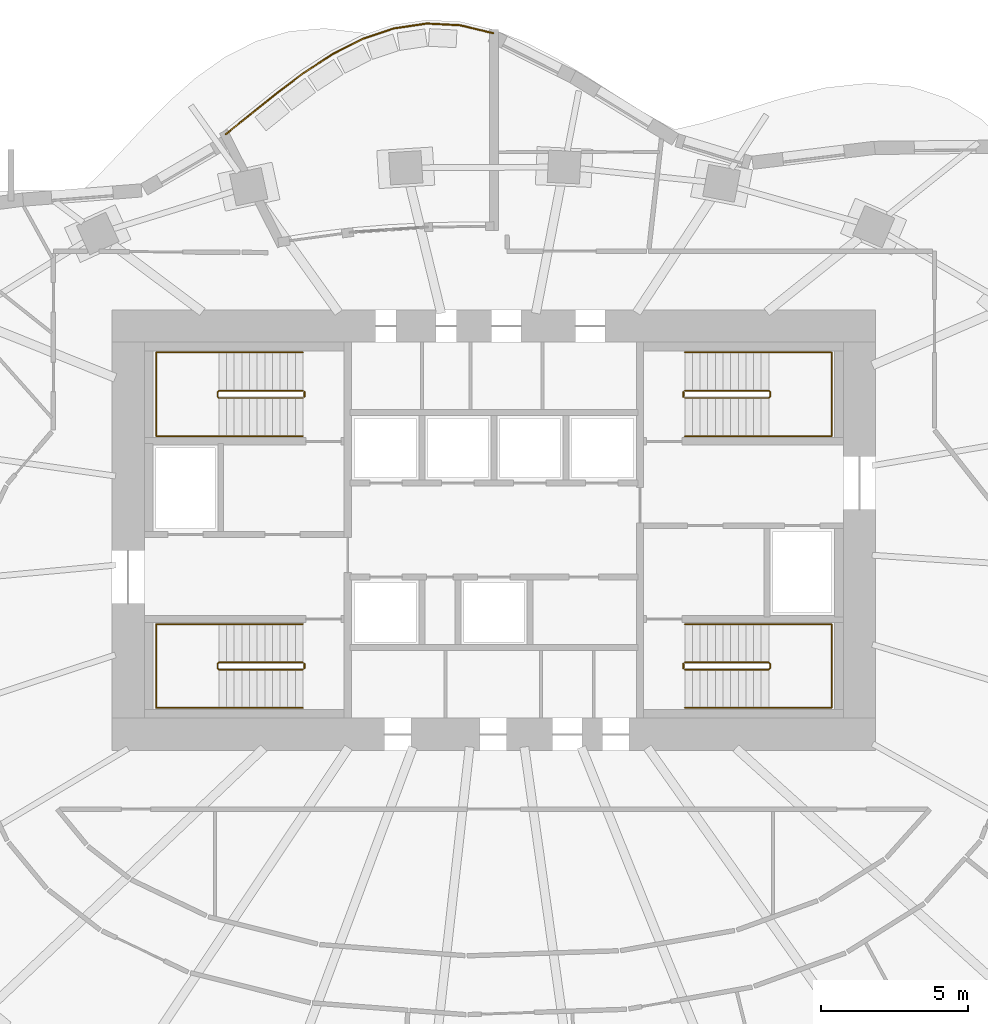
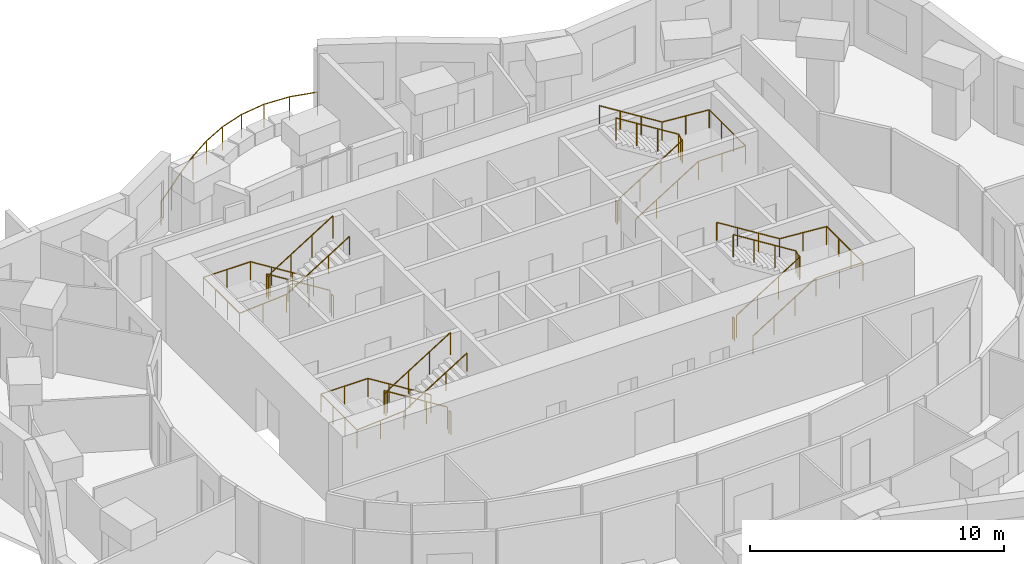
# One storey, part 11 of 11: 13 railings.
"""IFC4 building model written with IfcOpenShell, lengths in metres."""

from ifc_helpers import new_model, si_unit, direction, frame, origin, origin_2d, place, context, subcontext, project, spatial, circle, extrude, material, type_object, element, save


model = new_model("IFC4")

# Units and contexts
model_context = context("Model", 3, precision=1e-05, world=origin(), true_north=direction((0.0, 1.0)))
body_context = subcontext(model_context, "Body", "Model", "MODEL_VIEW")
ifc_project = project(units=[si_unit("LENGTHUNIT", "METRE"), si_unit("AREAUNIT", "SQUARE_METRE"), si_unit("VOLUMEUNIT", "CUBIC_METRE"), si_unit("PLANEANGLEUNIT", "RADIAN"), si_unit("MASSUNIT", "GRAM", prefix="KILO")], contexts=[model_context])

# Site, building, storey
site_placement = place(None, origin())
site = spatial("IfcSite", under=ifc_project, at=site_placement, CompositionType="ELEMENT")
building_placement = place(site_placement, origin())
building = spatial("IfcBuilding", under=site, at=building_placement, Name="Rubra Terraces Tower", CompositionType="ELEMENT")
storey_placement = place(building_placement, frame((0.0, 0.0, 165.60009765625)))
storey = spatial("IfcBuildingStorey", under=building, at=storey_placement, Name="L40", CompositionType="ELEMENT", Elevation=165.60009765625)

# Railings
ifc_material_1 = material(Name="Stainless steel", Category="steel")
railing_type_1 = type_object("IfcRailingType", Name="Core stair guard 1100", PredefinedType="GUARDRAIL", material=ifc_material_1)
railing_1_placement = place(storey_placement, frame((-6.5, 0.0, 0.162353515625)))
element("IfcRailing", 1, at=railing_1_placement, inside=storey, type_object=railing_type_1, Name="L40 stair S1 guard 1", PredefinedType="GUARDRAIL", context=body_context, shape_type="SweptSolid", body=[
    extrude(circle(Radius=0.02392578125, at=origin_2d()), frame((0.0, 0.0, 1.076171875), z_axis=(-0.847994237388, 0.0, 0.530005446535), x_axis=(0.0, -1.0, 0.0)), (0.0, 0.0, 1.0), 3.372802734375),
    extrude(circle(Radius=0.02392578125, at=origin_2d()), frame((-2.860107421875, 0.0, 2.86376953125), z_axis=(-0.705375805398, -0.708833529934, 0.0), x_axis=(0.708833529934, -0.705375805398, 0.0)), (0.0, 0.0, 1.0), 0.070556640625),
    extrude(circle(Radius=0.02392578125, at=origin_2d()), frame((-2.909912109375, -0.050048828125, 2.86376953125), z_axis=(0.0, -1.0, 0.0), x_axis=(1.0, 0.0, 0.0)), (0.0, 0.0, 1.0), 0.14990234375),
    extrude(circle(Radius=0.02392578125, at=origin_2d()), frame((-2.909912109375, -0.199951171875, 2.86376953125), z_axis=(0.281314826061, -0.282693820306, 0.917031173188), x_axis=(0.708833529934, 0.705375805398, 0.0)), (0.0, 0.0, 1.0), 0.177001953125),
    extrude(circle(Radius=0.02392578125, at=origin_2d()), frame((-2.860107421875, -0.25, 3.02587890625), z_axis=(0.847994237388, 0.0, 0.530005446535), x_axis=(0.0, 1.0, 0.0)), (0.0, 0.0, 1.0), 3.372802734375),
    extrude(circle(Radius=0.02099609375, at=origin_2d()), origin(), (0.0, 0.0, 1.0), 1.052001953125),
    extrude(circle(Radius=0.02099609375, at=origin_2d()), frame((-0.953369140625, 0.0, 0.595947265625)), (0.0, 0.0, 1.0), 1.052001953125),
    extrude(circle(Radius=0.02099609375, at=origin_2d()), frame((-1.90673828125, 0.0, 1.191650390625)), (0.0, 0.0, 1.0), 1.052001953125),
    extrude(circle(Radius=0.02099609375, at=origin_2d()), frame((-2.860107421875, 0.0, 1.78759765625)), (0.0, 0.0, 1.0), 1.052001953125),
    extrude(circle(Radius=0.02099609375, at=origin_2d()), frame((-2.909912109375, -0.050048828125, 1.78759765625)), (0.0, 0.0, 1.0), 1.052001953125),
    extrude(circle(Radius=0.02099609375, at=origin_2d()), frame((-2.909912109375, -0.199951171875, 1.78759765625)), (0.0, 0.0, 1.0), 1.052001953125),
    extrude(circle(Radius=0.02099609375, at=origin_2d()), frame((-2.860107421875, -0.25, 1.949951171875)), (0.0, 0.0, 1.0), 1.052001953125),
    extrude(circle(Radius=0.02099609375, at=origin_2d()), frame((-1.90673828125, -0.25, 2.5458984375)), (0.0, 0.0, 1.0), 1.052001953125),
    extrude(circle(Radius=0.02099609375, at=origin_2d()), frame((-0.953369140625, -0.25, 3.1416015625)), (0.0, 0.0, 1.0), 1.052001953125),
    extrude(circle(Radius=0.02099609375, at=origin_2d()), frame((0.0, -0.25, 3.737548828125)), (0.0, 0.0, 1.0), 1.052001953125),
])
railing_2_placement = place(storey_placement, frame((-6.449951171875, -0.050048828125, 0.0)))
element("IfcRailing", 2, at=railing_2_placement, inside=storey, type_object=railing_type_1, Name="L40 stair S1 guard 2", PredefinedType="GUARDRAIL", context=body_context, shape_type="SweptSolid", body=[
    extrude(circle(Radius=0.02392578125, at=origin_2d()), frame((0.0, 0.0, 1.076171875), z_axis=(0.0, -1.0, 0.0), x_axis=(1.0, 0.0, 0.0)), (0.0, 0.0, 1.0), 0.14990234375),
    extrude(circle(Radius=0.02099609375, at=origin_2d()), origin(), (0.0, 0.0, 1.0), 1.052001953125),
    extrude(circle(Radius=0.02099609375, at=origin_2d()), frame((0.0, -0.14990234375, 0.0)), (0.0, 0.0, 1.0), 1.052001953125),
])
railing_3_placement = place(storey_placement, frame((-6.5, 9.25, 0.162353515625)))
element("IfcRailing", 3, at=railing_3_placement, inside=storey, type_object=railing_type_1, Name="L40 stair S2 guard 1", PredefinedType="GUARDRAIL", context=body_context, shape_type="SweptSolid", body=[
    extrude(circle(Radius=0.02392578125, at=origin_2d()), frame((0.0, 0.0, 1.076171875), z_axis=(-0.847994237388, 0.0, 0.530005446535), x_axis=(0.0, -1.0, 0.0)), (0.0, 0.0, 1.0), 3.372802734375),
    extrude(circle(Radius=0.02392578125, at=origin_2d()), frame((-2.860107421875, 0.0, 2.86376953125), z_axis=(-0.705375805398, -0.708833529934, 0.0), x_axis=(0.708833529934, -0.705375805398, 0.0)), (0.0, 0.0, 1.0), 0.070556640625),
    extrude(circle(Radius=0.02392578125, at=origin_2d()), frame((-2.909912109375, -0.050048828125, 2.86376953125), z_axis=(0.0, -1.0, 0.0), x_axis=(1.0, 0.0, 0.0)), (0.0, 0.0, 1.0), 0.14990234375),
    extrude(circle(Radius=0.02392578125, at=origin_2d()), frame((-2.909912109375, -0.199951171875, 2.86376953125), z_axis=(0.281314826061, -0.282693820306, 0.917031173188), x_axis=(0.708833529934, 0.705375805398, 0.0)), (0.0, 0.0, 1.0), 0.177001953125),
    extrude(circle(Radius=0.02392578125, at=origin_2d()), frame((-2.860107421875, -0.25, 3.02587890625), z_axis=(0.847994237388, 0.0, 0.530005446535), x_axis=(0.0, 1.0, 0.0)), (0.0, 0.0, 1.0), 3.372802734375),
    extrude(circle(Radius=0.02099609375, at=origin_2d()), origin(), (0.0, 0.0, 1.0), 1.052001953125),
    extrude(circle(Radius=0.02099609375, at=origin_2d()), frame((-0.953369140625, 0.0, 0.595947265625)), (0.0, 0.0, 1.0), 1.052001953125),
    extrude(circle(Radius=0.02099609375, at=origin_2d()), frame((-1.90673828125, 0.0, 1.191650390625)), (0.0, 0.0, 1.0), 1.052001953125),
    extrude(circle(Radius=0.02099609375, at=origin_2d()), frame((-2.860107421875, 0.0, 1.78759765625)), (0.0, 0.0, 1.0), 1.052001953125),
    extrude(circle(Radius=0.02099609375, at=origin_2d()), frame((-2.909912109375, -0.050048828125, 1.78759765625)), (0.0, 0.0, 1.0), 1.052001953125),
    extrude(circle(Radius=0.02099609375, at=origin_2d()), frame((-2.909912109375, -0.199951171875, 1.78759765625)), (0.0, 0.0, 1.0), 1.052001953125),
    extrude(circle(Radius=0.02099609375, at=origin_2d()), frame((-2.860107421875, -0.25, 1.949951171875)), (0.0, 0.0, 1.0), 1.052001953125),
    extrude(circle(Radius=0.02099609375, at=origin_2d()), frame((-1.90673828125, -0.25, 2.5458984375)), (0.0, 0.0, 1.0), 1.052001953125),
    extrude(circle(Radius=0.02099609375, at=origin_2d()), frame((-0.953369140625, -0.25, 3.1416015625)), (0.0, 0.0, 1.0), 1.052001953125),
    extrude(circle(Radius=0.02099609375, at=origin_2d()), frame((0.0, -0.25, 3.737548828125)), (0.0, 0.0, 1.0), 1.052001953125),
])
railing_4_placement = place(storey_placement, frame((-6.449951171875, 9.199951171875, 0.0)))
element("IfcRailing", 4, at=railing_4_placement, inside=storey, type_object=railing_type_1, Name="L40 stair S2 guard 2", PredefinedType="GUARDRAIL", context=body_context, shape_type="SweptSolid", body=[
    extrude(circle(Radius=0.02392578125, at=origin_2d()), frame((0.0, 0.0, 1.076171875), z_axis=(0.0, -1.0, 0.0), x_axis=(1.0, 0.0, 0.0)), (0.0, 0.0, 1.0), 0.14990234375),
    extrude(circle(Radius=0.02099609375, at=origin_2d()), origin(), (0.0, 0.0, 1.0), 1.052001953125),
    extrude(circle(Radius=0.02099609375, at=origin_2d()), frame((0.0, -0.14990234375, 0.0)), (0.0, 0.0, 1.0), 1.052001953125),
])
railing_5_placement = place(storey_placement, frame((6.5, 9.0, 0.162353515625)))
element("IfcRailing", 5, at=railing_5_placement, inside=storey, type_object=railing_type_1, Name="L40 stair S3 guard 1", PredefinedType="GUARDRAIL", context=body_context, shape_type="SweptSolid", body=[
    extrude(circle(Radius=0.02392578125, at=origin_2d()), frame((0.0, 0.0, 1.076171875), z_axis=(0.847994237388, 0.0, 0.530005446535), x_axis=(0.0, 1.0, 0.0)), (0.0, 0.0, 1.0), 3.372802734375),
    extrude(circle(Radius=0.02392578125, at=origin_2d()), frame((2.860107421875, 0.0, 2.86376953125), z_axis=(0.705375805398, 0.708833529934, 0.0), x_axis=(-0.708833529934, 0.705375805398, 0.0)), (0.0, 0.0, 1.0), 0.070556640625),
    extrude(circle(Radius=0.02392578125, at=origin_2d()), frame((2.909912109375, 0.050048828125, 2.86376953125), z_axis=(0.0, 1.0, 0.0), x_axis=(-1.0, 0.0, 0.0)), (0.0, 0.0, 1.0), 0.14990234375),
    extrude(circle(Radius=0.02392578125, at=origin_2d()), frame((2.909912109375, 0.199951171875, 2.86376953125), z_axis=(-0.281314826061, 0.282693820306, 0.917031173188), x_axis=(-0.708833529934, -0.705375805398, 0.0)), (0.0, 0.0, 1.0), 0.177001953125),
    extrude(circle(Radius=0.02392578125, at=origin_2d()), frame((2.860107421875, 0.25, 3.02587890625), z_axis=(-0.847994237388, 0.0, 0.530005446535), x_axis=(0.0, -1.0, 0.0)), (0.0, 0.0, 1.0), 3.372802734375),
    extrude(circle(Radius=0.02099609375, at=origin_2d()), origin(), (0.0, 0.0, 1.0), 1.052001953125),
    extrude(circle(Radius=0.02099609375, at=origin_2d()), frame((0.953369140625, 0.0, 0.595947265625)), (0.0, 0.0, 1.0), 1.052001953125),
    extrude(circle(Radius=0.02099609375, at=origin_2d()), frame((1.90673828125, 0.0, 1.191650390625)), (0.0, 0.0, 1.0), 1.052001953125),
    extrude(circle(Radius=0.02099609375, at=origin_2d()), frame((2.860107421875, 0.0, 1.78759765625)), (0.0, 0.0, 1.0), 1.052001953125),
    extrude(circle(Radius=0.02099609375, at=origin_2d()), frame((2.909912109375, 0.050048828125, 1.78759765625)), (0.0, 0.0, 1.0), 1.052001953125),
    extrude(circle(Radius=0.02099609375, at=origin_2d()), frame((2.909912109375, 0.199951171875, 1.78759765625)), (0.0, 0.0, 1.0), 1.052001953125),
    extrude(circle(Radius=0.02099609375, at=origin_2d()), frame((2.860107421875, 0.25, 1.949951171875)), (0.0, 0.0, 1.0), 1.052001953125),
    extrude(circle(Radius=0.02099609375, at=origin_2d()), frame((1.90673828125, 0.25, 2.5458984375)), (0.0, 0.0, 1.0), 1.052001953125),
    extrude(circle(Radius=0.02099609375, at=origin_2d()), frame((0.953369140625, 0.25, 3.1416015625)), (0.0, 0.0, 1.0), 1.052001953125),
    extrude(circle(Radius=0.02099609375, at=origin_2d()), frame((0.0, 0.25, 3.737548828125)), (0.0, 0.0, 1.0), 1.052001953125),
])
railing_6_placement = place(storey_placement, frame((6.449951171875, 9.050048828125, 0.0)))
element("IfcRailing", 6, at=railing_6_placement, inside=storey, type_object=railing_type_1, Name="L40 stair S3 guard 2", PredefinedType="GUARDRAIL", context=body_context, shape_type="SweptSolid", body=[
    extrude(circle(Radius=0.02392578125, at=origin_2d()), frame((0.0, 0.0, 1.076171875), z_axis=(0.0, 1.0, 0.0), x_axis=(-1.0, 0.0, 0.0)), (0.0, 0.0, 1.0), 0.14990234375),
    extrude(circle(Radius=0.02099609375, at=origin_2d()), origin(), (0.0, 0.0, 1.0), 1.052001953125),
    extrude(circle(Radius=0.02099609375, at=origin_2d()), frame((0.0, 0.14990234375, 0.0)), (0.0, 0.0, 1.0), 1.052001953125),
])
railing_7_placement = place(storey_placement, frame((6.5, -0.25, 0.162353515625)))
element("IfcRailing", 7, at=railing_7_placement, inside=storey, type_object=railing_type_1, Name="L40 stair S4 guard 1", PredefinedType="GUARDRAIL", context=body_context, shape_type="SweptSolid", body=[
    extrude(circle(Radius=0.02392578125, at=origin_2d()), frame((0.0, 0.0, 1.076171875), z_axis=(0.847994237388, 0.0, 0.530005446535), x_axis=(0.0, 1.0, 0.0)), (0.0, 0.0, 1.0), 3.372802734375),
    extrude(circle(Radius=0.02392578125, at=origin_2d()), frame((2.860107421875, 0.0, 2.86376953125), z_axis=(0.705375805398, 0.708833529934, 0.0), x_axis=(-0.708833529934, 0.705375805398, 0.0)), (0.0, 0.0, 1.0), 0.070556640625),
    extrude(circle(Radius=0.02392578125, at=origin_2d()), frame((2.909912109375, 0.050048828125, 2.86376953125), z_axis=(0.0, 1.0, 0.0), x_axis=(-1.0, 0.0, 0.0)), (0.0, 0.0, 1.0), 0.14990234375),
    extrude(circle(Radius=0.02392578125, at=origin_2d()), frame((2.909912109375, 0.199951171875, 2.86376953125), z_axis=(-0.281314826061, 0.282693820306, 0.917031173188), x_axis=(-0.708833529934, -0.705375805398, 0.0)), (0.0, 0.0, 1.0), 0.177001953125),
    extrude(circle(Radius=0.02392578125, at=origin_2d()), frame((2.860107421875, 0.25, 3.02587890625), z_axis=(-0.847994237388, 0.0, 0.530005446535), x_axis=(0.0, -1.0, 0.0)), (0.0, 0.0, 1.0), 3.372802734375),
    extrude(circle(Radius=0.02099609375, at=origin_2d()), origin(), (0.0, 0.0, 1.0), 1.052001953125),
    extrude(circle(Radius=0.02099609375, at=origin_2d()), frame((0.953369140625, 0.0, 0.595947265625)), (0.0, 0.0, 1.0), 1.052001953125),
    extrude(circle(Radius=0.02099609375, at=origin_2d()), frame((1.90673828125, 0.0, 1.191650390625)), (0.0, 0.0, 1.0), 1.052001953125),
    extrude(circle(Radius=0.02099609375, at=origin_2d()), frame((2.860107421875, 0.0, 1.78759765625)), (0.0, 0.0, 1.0), 1.052001953125),
    extrude(circle(Radius=0.02099609375, at=origin_2d()), frame((2.909912109375, 0.050048828125, 1.78759765625)), (0.0, 0.0, 1.0), 1.052001953125),
    extrude(circle(Radius=0.02099609375, at=origin_2d()), frame((2.909912109375, 0.199951171875, 1.78759765625)), (0.0, 0.0, 1.0), 1.052001953125),
    extrude(circle(Radius=0.02099609375, at=origin_2d()), frame((2.860107421875, 0.25, 1.949951171875)), (0.0, 0.0, 1.0), 1.052001953125),
    extrude(circle(Radius=0.02099609375, at=origin_2d()), frame((1.90673828125, 0.25, 2.5458984375)), (0.0, 0.0, 1.0), 1.052001953125),
    extrude(circle(Radius=0.02099609375, at=origin_2d()), frame((0.953369140625, 0.25, 3.1416015625)), (0.0, 0.0, 1.0), 1.052001953125),
    extrude(circle(Radius=0.02099609375, at=origin_2d()), frame((0.0, 0.25, 3.737548828125)), (0.0, 0.0, 1.0), 1.052001953125),
])
railing_8_placement = place(storey_placement, frame((6.449951171875, -0.199951171875, 0.0)))
element("IfcRailing", 8, at=railing_8_placement, inside=storey, type_object=railing_type_1, Name="L40 stair S4 guard 2", PredefinedType="GUARDRAIL", context=body_context, shape_type="SweptSolid", body=[
    extrude(circle(Radius=0.02392578125, at=origin_2d()), frame((0.0, 0.0, 1.076171875), z_axis=(0.0, 1.0, 0.0), x_axis=(-1.0, 0.0, 0.0)), (0.0, 0.0, 1.0), 0.14990234375),
    extrude(circle(Radius=0.02099609375, at=origin_2d()), origin(), (0.0, 0.0, 1.0), 1.052001953125),
    extrude(circle(Radius=0.02099609375, at=origin_2d()), frame((0.0, 0.14990234375, 0.0)), (0.0, 0.0, 1.0), 1.052001953125),
])
railing_type_2 = type_object("IfcRailingType", Name="Core stair handrail 900", PredefinedType="HANDRAIL", material=ifc_material_1)
railing_9_placement = place(storey_placement, frame((-6.5, 1.300048828125, 0.162353515625)))
element("IfcRailing", 9, at=railing_9_placement, inside=storey, type_object=railing_type_2, Name="L40 stair S1 handrail 1", PredefinedType="HANDRAIL", context=body_context, shape_type="SweptSolid", body=[
    extrude(circle(Radius=0.02392578125, at=origin_2d()), frame((0.0, 0.0, 0.8759765625), z_axis=(-0.847994237388, 0.0, 0.530005446535), x_axis=(0.0, -1.0, 0.0)), (0.0, 0.0, 1.0), 3.372802734375),
    extrude(circle(Radius=0.02392578125, at=origin_2d()), frame((-2.860107421875, 0.0, 2.66357421875), z_axis=(-1.0, 0.0, 0.0), x_axis=(0.0, -1.0, 0.0)), (0.0, 0.0, 1.0), 2.139892578125),
    extrude(circle(Radius=0.02392578125, at=origin_2d()), frame((-5.0, 0.0, 2.66357421875), z_axis=(0.0, -1.0, 0.0), x_axis=(1.0, 0.0, 0.0)), (0.0, 0.0, 1.0), 2.85009765625),
    extrude(circle(Radius=0.02392578125, at=origin_2d()), frame((-5.0, -2.85009765625, 2.66357421875), z_axis=(0.9971342424, 0.0, 0.075652512401), x_axis=(0.0, 1.0, 0.0)), (0.0, 0.0, 1.0), 2.14599609375),
    extrude(circle(Radius=0.02392578125, at=origin_2d()), frame((-2.860107421875, -2.85009765625, 2.82568359375), z_axis=(0.847994237388, 0.0, 0.530005446535), x_axis=(0.0, 1.0, 0.0)), (0.0, 0.0, 1.0), 3.372802734375),
    extrude(circle(Radius=0.02099609375, at=origin_2d()), origin(), (0.0, 0.0, 1.0), 0.851806640625),
    extrude(circle(Radius=0.02099609375, at=origin_2d()), frame((-0.953369140625, 0.0, 0.595947265625)), (0.0, 0.0, 1.0), 0.851806640625),
    extrude(circle(Radius=0.02099609375, at=origin_2d()), frame((-1.90673828125, 0.0, 1.191650390625)), (0.0, 0.0, 1.0), 0.851806640625),
    extrude(circle(Radius=0.02099609375, at=origin_2d()), frame((-2.860107421875, 0.0, 1.78759765625)), (0.0, 0.0, 1.0), 0.851806640625),
    extrude(circle(Radius=0.02099609375, at=origin_2d()), frame((-3.93017578125, 0.0, 1.78759765625)), (0.0, 0.0, 1.0), 0.851806640625),
    extrude(circle(Radius=0.02099609375, at=origin_2d()), frame((-5.0, 0.0, 1.78759765625)), (0.0, 0.0, 1.0), 0.851806640625),
    extrude(circle(Radius=0.02099609375, at=origin_2d()), frame((-5.0, -0.949951171875, 1.78759765625)), (0.0, 0.0, 1.0), 0.851806640625),
    extrude(circle(Radius=0.02099609375, at=origin_2d()), frame((-5.0, -1.900146484375, 1.78759765625)), (0.0, 0.0, 1.0), 0.851806640625),
    extrude(circle(Radius=0.02099609375, at=origin_2d()), frame((-5.0, -2.85009765625, 1.78759765625)), (0.0, 0.0, 1.0), 0.851806640625),
    extrude(circle(Radius=0.02099609375, at=origin_2d()), frame((-3.93017578125, -2.85009765625, 1.86865234375)), (0.0, 0.0, 1.0), 0.851806640625),
    extrude(circle(Radius=0.02099609375, at=origin_2d()), frame((-2.860107421875, -2.85009765625, 1.949951171875)), (0.0, 0.0, 1.0), 0.851806640625),
    extrude(circle(Radius=0.02099609375, at=origin_2d()), frame((-1.90673828125, -2.85009765625, 2.5458984375)), (0.0, 0.0, 1.0), 0.851806640625),
    extrude(circle(Radius=0.02099609375, at=origin_2d()), frame((-0.953369140625, -2.85009765625, 3.1416015625)), (0.0, 0.0, 1.0), 0.851806640625),
    extrude(circle(Radius=0.02099609375, at=origin_2d()), frame((0.0, -2.85009765625, 3.737548828125)), (0.0, 0.0, 1.0), 0.851806640625),
])
railing_10_placement = place(storey_placement, frame((-6.5, 10.550048828125, 0.162353515625)))
element("IfcRailing", 10, at=railing_10_placement, inside=storey, type_object=railing_type_2, Name="L40 stair S2 handrail 1", PredefinedType="HANDRAIL", context=body_context, shape_type="SweptSolid", body=[
    extrude(circle(Radius=0.02392578125, at=origin_2d()), frame((0.0, 0.0, 0.8759765625), z_axis=(-0.847994237388, 0.0, 0.530005446535), x_axis=(0.0, -1.0, 0.0)), (0.0, 0.0, 1.0), 3.372802734375),
    extrude(circle(Radius=0.02392578125, at=origin_2d()), frame((-2.860107421875, 0.0, 2.66357421875), z_axis=(-1.0, 0.0, 0.0), x_axis=(0.0, -1.0, 0.0)), (0.0, 0.0, 1.0), 2.139892578125),
    extrude(circle(Radius=0.02392578125, at=origin_2d()), frame((-5.0, 0.0, 2.66357421875), z_axis=(0.0, -1.0, 0.0), x_axis=(1.0, 0.0, 0.0)), (0.0, 0.0, 1.0), 2.85009765625),
    extrude(circle(Radius=0.02392578125, at=origin_2d()), frame((-5.0, -2.85009765625, 2.66357421875), z_axis=(0.9971342424, 0.0, 0.075652512401), x_axis=(0.0, 1.0, 0.0)), (0.0, 0.0, 1.0), 2.14599609375),
    extrude(circle(Radius=0.02392578125, at=origin_2d()), frame((-2.860107421875, -2.85009765625, 2.82568359375), z_axis=(0.847994237388, 0.0, 0.530005446535), x_axis=(0.0, 1.0, 0.0)), (0.0, 0.0, 1.0), 3.372802734375),
    extrude(circle(Radius=0.02099609375, at=origin_2d()), origin(), (0.0, 0.0, 1.0), 0.851806640625),
    extrude(circle(Radius=0.02099609375, at=origin_2d()), frame((-0.953369140625, 0.0, 0.595947265625)), (0.0, 0.0, 1.0), 0.851806640625),
    extrude(circle(Radius=0.02099609375, at=origin_2d()), frame((-1.90673828125, 0.0, 1.191650390625)), (0.0, 0.0, 1.0), 0.851806640625),
    extrude(circle(Radius=0.02099609375, at=origin_2d()), frame((-2.860107421875, 0.0, 1.78759765625)), (0.0, 0.0, 1.0), 0.851806640625),
    extrude(circle(Radius=0.02099609375, at=origin_2d()), frame((-3.93017578125, 0.0, 1.78759765625)), (0.0, 0.0, 1.0), 0.851806640625),
    extrude(circle(Radius=0.02099609375, at=origin_2d()), frame((-5.0, 0.0, 1.78759765625)), (0.0, 0.0, 1.0), 0.851806640625),
    extrude(circle(Radius=0.02099609375, at=origin_2d()), frame((-5.0, -0.949951171875, 1.78759765625)), (0.0, 0.0, 1.0), 0.851806640625),
    extrude(circle(Radius=0.02099609375, at=origin_2d()), frame((-5.0, -1.900146484375, 1.78759765625)), (0.0, 0.0, 1.0), 0.851806640625),
    extrude(circle(Radius=0.02099609375, at=origin_2d()), frame((-5.0, -2.85009765625, 1.78759765625)), (0.0, 0.0, 1.0), 0.851806640625),
    extrude(circle(Radius=0.02099609375, at=origin_2d()), frame((-3.93017578125, -2.85009765625, 1.86865234375)), (0.0, 0.0, 1.0), 0.851806640625),
    extrude(circle(Radius=0.02099609375, at=origin_2d()), frame((-2.860107421875, -2.85009765625, 1.949951171875)), (0.0, 0.0, 1.0), 0.851806640625),
    extrude(circle(Radius=0.02099609375, at=origin_2d()), frame((-1.90673828125, -2.85009765625, 2.5458984375)), (0.0, 0.0, 1.0), 0.851806640625),
    extrude(circle(Radius=0.02099609375, at=origin_2d()), frame((-0.953369140625, -2.85009765625, 3.1416015625)), (0.0, 0.0, 1.0), 0.851806640625),
    extrude(circle(Radius=0.02099609375, at=origin_2d()), frame((0.0, -2.85009765625, 3.737548828125)), (0.0, 0.0, 1.0), 0.851806640625),
])
railing_11_placement = place(storey_placement, frame((6.5, 7.699951171875, 0.162353515625)))
element("IfcRailing", 11, at=railing_11_placement, inside=storey, type_object=railing_type_2, Name="L40 stair S3 handrail 1", PredefinedType="HANDRAIL", context=body_context, shape_type="SweptSolid", body=[
    extrude(circle(Radius=0.02392578125, at=origin_2d()), frame((0.0, 0.0, 0.8759765625), z_axis=(0.847994237388, 0.0, 0.530005446535), x_axis=(0.0, 1.0, 0.0)), (0.0, 0.0, 1.0), 3.372802734375),
    extrude(circle(Radius=0.02392578125, at=origin_2d()), frame((2.860107421875, 0.0, 2.66357421875), z_axis=(1.0, 0.0, 0.0), x_axis=(0.0, 1.0, 0.0)), (0.0, 0.0, 1.0), 2.139892578125),
    extrude(circle(Radius=0.02392578125, at=origin_2d()), frame((5.0, 0.0, 2.66357421875), z_axis=(0.0, 1.0, 0.0), x_axis=(-1.0, 0.0, 0.0)), (0.0, 0.0, 1.0), 2.85009765625),
    extrude(circle(Radius=0.02392578125, at=origin_2d()), frame((5.0, 2.85009765625, 2.66357421875), z_axis=(-0.9971342424, 0.0, 0.075652512401), x_axis=(0.0, -1.0, 0.0)), (0.0, 0.0, 1.0), 2.14599609375),
    extrude(circle(Radius=0.02392578125, at=origin_2d()), frame((2.860107421875, 2.85009765625, 2.82568359375), z_axis=(-0.847994237388, 0.0, 0.530005446535), x_axis=(0.0, -1.0, 0.0)), (0.0, 0.0, 1.0), 3.372802734375),
    extrude(circle(Radius=0.02099609375, at=origin_2d()), origin(), (0.0, 0.0, 1.0), 0.851806640625),
    extrude(circle(Radius=0.02099609375, at=origin_2d()), frame((0.953369140625, 0.0, 0.595947265625)), (0.0, 0.0, 1.0), 0.851806640625),
    extrude(circle(Radius=0.02099609375, at=origin_2d()), frame((1.90673828125, 0.0, 1.191650390625)), (0.0, 0.0, 1.0), 0.851806640625),
    extrude(circle(Radius=0.02099609375, at=origin_2d()), frame((2.860107421875, 0.0, 1.78759765625)), (0.0, 0.0, 1.0), 0.851806640625),
    extrude(circle(Radius=0.02099609375, at=origin_2d()), frame((3.93017578125, 0.0, 1.78759765625)), (0.0, 0.0, 1.0), 0.851806640625),
    extrude(circle(Radius=0.02099609375, at=origin_2d()), frame((5.0, 0.0, 1.78759765625)), (0.0, 0.0, 1.0), 0.851806640625),
    extrude(circle(Radius=0.02099609375, at=origin_2d()), frame((5.0, 0.949951171875, 1.78759765625)), (0.0, 0.0, 1.0), 0.851806640625),
    extrude(circle(Radius=0.02099609375, at=origin_2d()), frame((5.0, 1.900146484375, 1.78759765625)), (0.0, 0.0, 1.0), 0.851806640625),
    extrude(circle(Radius=0.02099609375, at=origin_2d()), frame((5.0, 2.85009765625, 1.78759765625)), (0.0, 0.0, 1.0), 0.851806640625),
    extrude(circle(Radius=0.02099609375, at=origin_2d()), frame((3.93017578125, 2.85009765625, 1.86865234375)), (0.0, 0.0, 1.0), 0.851806640625),
    extrude(circle(Radius=0.02099609375, at=origin_2d()), frame((2.860107421875, 2.85009765625, 1.949951171875)), (0.0, 0.0, 1.0), 0.851806640625),
    extrude(circle(Radius=0.02099609375, at=origin_2d()), frame((1.90673828125, 2.85009765625, 2.5458984375)), (0.0, 0.0, 1.0), 0.851806640625),
    extrude(circle(Radius=0.02099609375, at=origin_2d()), frame((0.953369140625, 2.85009765625, 3.1416015625)), (0.0, 0.0, 1.0), 0.851806640625),
    extrude(circle(Radius=0.02099609375, at=origin_2d()), frame((0.0, 2.85009765625, 3.737548828125)), (0.0, 0.0, 1.0), 0.851806640625),
])
railing_12_placement = place(storey_placement, frame((6.5, -1.550048828125, 0.162353515625)))
element("IfcRailing", 12, at=railing_12_placement, inside=storey, type_object=railing_type_2, Name="L40 stair S4 handrail 1", PredefinedType="HANDRAIL", context=body_context, shape_type="SweptSolid", body=[
    extrude(circle(Radius=0.02392578125, at=origin_2d()), frame((0.0, 0.0, 0.8759765625), z_axis=(0.847994237388, 0.0, 0.530005446535), x_axis=(0.0, 1.0, 0.0)), (0.0, 0.0, 1.0), 3.372802734375),
    extrude(circle(Radius=0.02392578125, at=origin_2d()), frame((2.860107421875, 0.0, 2.66357421875), z_axis=(1.0, 0.0, 0.0), x_axis=(0.0, 1.0, 0.0)), (0.0, 0.0, 1.0), 2.139892578125),
    extrude(circle(Radius=0.02392578125, at=origin_2d()), frame((5.0, 0.0, 2.66357421875), z_axis=(0.0, 1.0, 0.0), x_axis=(-1.0, 0.0, 0.0)), (0.0, 0.0, 1.0), 2.85009765625),
    extrude(circle(Radius=0.02392578125, at=origin_2d()), frame((5.0, 2.85009765625, 2.66357421875), z_axis=(-0.9971342424, 0.0, 0.075652512401), x_axis=(0.0, -1.0, 0.0)), (0.0, 0.0, 1.0), 2.14599609375),
    extrude(circle(Radius=0.02392578125, at=origin_2d()), frame((2.860107421875, 2.85009765625, 2.82568359375), z_axis=(-0.847994237388, 0.0, 0.530005446535), x_axis=(0.0, -1.0, 0.0)), (0.0, 0.0, 1.0), 3.372802734375),
    extrude(circle(Radius=0.02099609375, at=origin_2d()), origin(), (0.0, 0.0, 1.0), 0.851806640625),
    extrude(circle(Radius=0.02099609375, at=origin_2d()), frame((0.953369140625, 0.0, 0.595947265625)), (0.0, 0.0, 1.0), 0.851806640625),
    extrude(circle(Radius=0.02099609375, at=origin_2d()), frame((1.90673828125, 0.0, 1.191650390625)), (0.0, 0.0, 1.0), 0.851806640625),
    extrude(circle(Radius=0.02099609375, at=origin_2d()), frame((2.860107421875, 0.0, 1.78759765625)), (0.0, 0.0, 1.0), 0.851806640625),
    extrude(circle(Radius=0.02099609375, at=origin_2d()), frame((3.93017578125, 0.0, 1.78759765625)), (0.0, 0.0, 1.0), 0.851806640625),
    extrude(circle(Radius=0.02099609375, at=origin_2d()), frame((5.0, 0.0, 1.78759765625)), (0.0, 0.0, 1.0), 0.851806640625),
    extrude(circle(Radius=0.02099609375, at=origin_2d()), frame((5.0, 0.949951171875, 1.78759765625)), (0.0, 0.0, 1.0), 0.851806640625),
    extrude(circle(Radius=0.02099609375, at=origin_2d()), frame((5.0, 1.900146484375, 1.78759765625)), (0.0, 0.0, 1.0), 0.851806640625),
    extrude(circle(Radius=0.02099609375, at=origin_2d()), frame((5.0, 2.85009765625, 1.78759765625)), (0.0, 0.0, 1.0), 0.851806640625),
    extrude(circle(Radius=0.02099609375, at=origin_2d()), frame((3.93017578125, 2.85009765625, 1.86865234375)), (0.0, 0.0, 1.0), 0.851806640625),
    extrude(circle(Radius=0.02099609375, at=origin_2d()), frame((2.860107421875, 2.85009765625, 1.949951171875)), (0.0, 0.0, 1.0), 0.851806640625),
    extrude(circle(Radius=0.02099609375, at=origin_2d()), frame((1.90673828125, 2.85009765625, 2.5458984375)), (0.0, 0.0, 1.0), 0.851806640625),
    extrude(circle(Radius=0.02099609375, at=origin_2d()), frame((0.953369140625, 2.85009765625, 3.1416015625)), (0.0, 0.0, 1.0), 0.851806640625),
    extrude(circle(Radius=0.02099609375, at=origin_2d()), frame((0.0, 2.85009765625, 3.737548828125)), (0.0, 0.0, 1.0), 0.851806640625),
])
ifc_material_2 = material(Name="Steel, powder-coated dark grey", Category="steel")
railing_type_3 = type_object("IfcRailingType", Name="Terrace guard 1150", PredefinedType="GUARDRAIL", material=ifc_material_2)
railing_13_placement = place(storey_placement, frame((-0.02783203125, 21.42041015625, 0.0)))
element("IfcRailing", 13, at=railing_13_placement, inside=storey, type_object=railing_type_3, Name="Terrace guard L40", PredefinedType="GUARDRAIL", context=body_context, shape_type="SweptSolid", body=[
    extrude(circle(Radius=0.02392578125, at=origin_2d()), frame((0.0, 0.0, 1.1259765625), z_axis=(-0.972595473642, 0.232503859434, 0.0), x_axis=(-0.232503859434, -0.972595473642, 0.0)), (0.0, 0.0, 1.0), 1.158203125),
    extrude(circle(Radius=0.02392578125, at=origin_2d()), frame((-1.12646484375, 0.269287109375, 1.1259765625), z_axis=(-0.99868681285, 0.051231336503, 0.0), x_axis=(-0.051231336503, -0.99868681285, 0.0)), (0.0, 0.0, 1.0), 1.12939453125),
    extrude(circle(Radius=0.02392578125, at=origin_2d()), frame((-2.25439453125, 0.3271484375, 1.1259765625), z_axis=(-0.989225317921, -0.146401060052, 0.0), x_axis=(0.146401060052, -0.989225317921, 0.0)), (0.0, 0.0, 1.0), 1.138916015625),
    extrude(circle(Radius=0.02392578125, at=origin_2d()), frame((-3.381103515625, 0.160400390625, 1.1259765625), z_axis=(-0.947886545373, -0.31860806189, 0.0), x_axis=(0.31860806189, -0.947886545373, 0.0)), (0.0, 0.0, 1.0), 1.107177734375),
    extrude(circle(Radius=0.02392578125, at=origin_2d()), frame((-4.4306640625, -0.1923828125, 1.1259765625), z_axis=(-0.892169052435, -0.451701651399, 0.0), x_axis=(0.451701651399, -0.892169052435, 0.0)), (0.0, 0.0, 1.0), 1.15185546875),
    extrude(circle(Radius=0.02392578125, at=origin_2d()), frame((-5.458251953125, -0.712646484375, 1.1259765625), z_axis=(-0.838669191056, -0.544641155232, 0.0), x_axis=(0.544641155232, -0.838669191056, 0.0)), (0.0, 0.0, 1.0), 1.1865234375),
    extrude(circle(Radius=0.02392578125, at=origin_2d()), frame((-6.453369140625, -1.35888671875, 1.1259765625), z_axis=(-0.798562861527, -0.601911418889, 0.0), x_axis=(0.601911418889, -0.798562861527, 0.0)), (0.0, 0.0, 1.0), 1.143310546875),
    extrude(circle(Radius=0.02392578125, at=origin_2d()), frame((-7.366455078125, -2.047119140625, 1.1259765625), z_axis=(-0.778783151234, -0.62729323554, 0.0), x_axis=(0.62729323554, -0.778783151234, 0.0)), (0.0, 0.0, 1.0), 1.133056640625),
    extrude(circle(Radius=0.02392578125, at=origin_2d()), frame((-8.248779296875, -2.7578125, 1.1259765625), z_axis=(-0.781238032089, -0.624233239437, 0.0), x_axis=(0.624233239437, -0.781238032089, 0.0)), (0.0, 0.0, 1.0), 1.09619140625),
    extrude(circle(Radius=0.02099609375, at=origin_2d()), origin(), (0.0, 0.0, 1.0), 1.101806640625),
    extrude(circle(Radius=0.02099609375, at=origin_2d()), frame((-1.12646484375, 0.269287109375, 0.0)), (0.0, 0.0, 1.0), 1.101806640625),
    extrude(circle(Radius=0.02099609375, at=origin_2d()), frame((-2.25439453125, 0.3271484375, 0.0)), (0.0, 0.0, 1.0), 1.101806640625),
    extrude(circle(Radius=0.02099609375, at=origin_2d()), frame((-3.381103515625, 0.160400390625, 0.0)), (0.0, 0.0, 1.0), 1.101806640625),
    extrude(circle(Radius=0.02099609375, at=origin_2d()), frame((-4.4306640625, -0.1923828125, 0.0)), (0.0, 0.0, 1.0), 1.101806640625),
    extrude(circle(Radius=0.02099609375, at=origin_2d()), frame((-5.458251953125, -0.712646484375, 0.0)), (0.0, 0.0, 1.0), 1.101806640625),
    extrude(circle(Radius=0.02099609375, at=origin_2d()), frame((-6.453369140625, -1.35888671875, 0.0)), (0.0, 0.0, 1.0), 1.101806640625),
    extrude(circle(Radius=0.02099609375, at=origin_2d()), frame((-7.366455078125, -2.047119140625, 0.0)), (0.0, 0.0, 1.0), 1.101806640625),
    extrude(circle(Radius=0.02099609375, at=origin_2d()), frame((-8.248779296875, -2.7578125, 0.0)), (0.0, 0.0, 1.0), 1.101806640625),
    extrude(circle(Radius=0.02099609375, at=origin_2d()), frame((-9.105224609375, -3.442138671875, 0.0)), (0.0, 0.0, 1.0), 1.101806640625),
])

save(model, "model.ifc")
